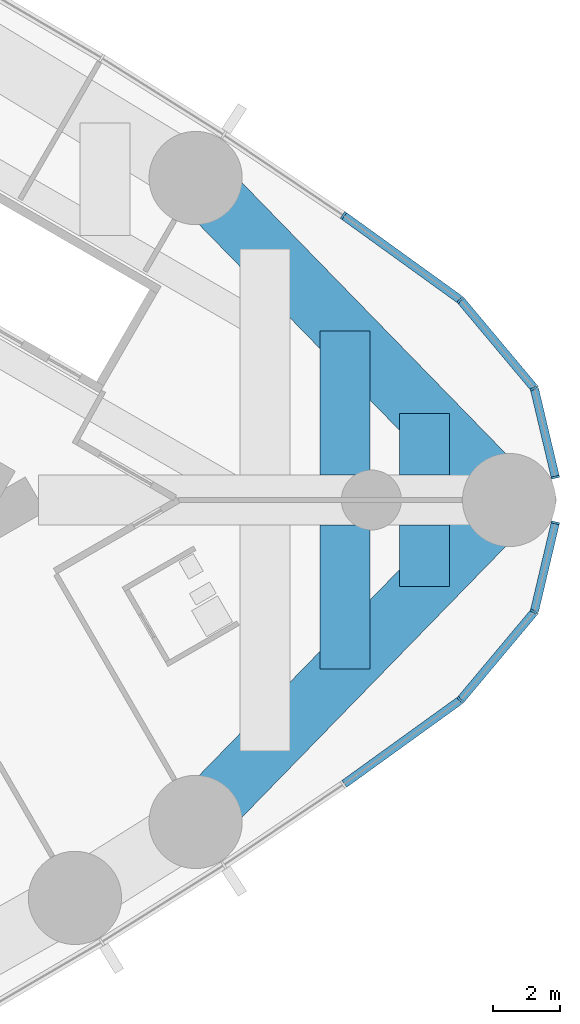
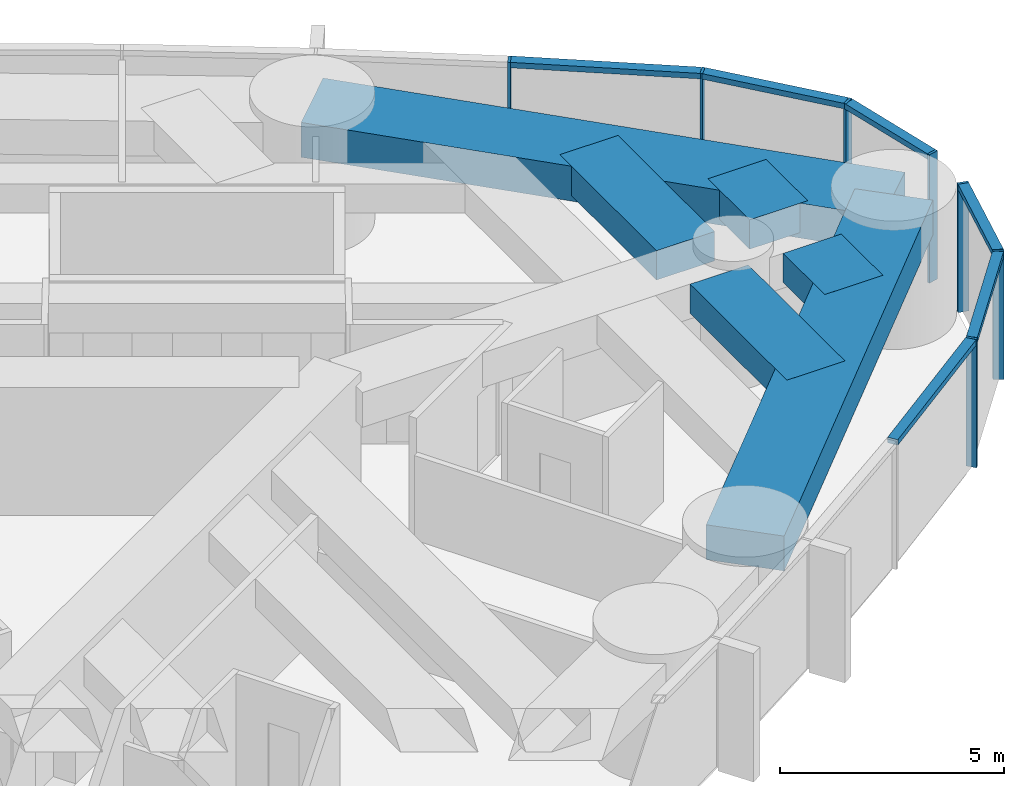
# One storey, part 9 of 19: 13 members, 6 beams, 2 elements without a shape of their own.
"""IFC4 building model written with IfcOpenShell, lengths in metres."""

from ifc_helpers import new_model, si_unit, direction, frame, origin, origin_2d, place, context, subcontext, project, spatial, rectangle, extrude, material, material_profile, profile_set, type_object, element, aggregate, save


model = new_model("IFC4")

# Units and contexts
model_context = context("Model", 3, precision=1e-05, world=origin(), true_north=direction((0.0, 1.0)))
body_context = subcontext(model_context, "Body", "Model", "MODEL_VIEW")
ifc_project = project(units=[si_unit("LENGTHUNIT", "METRE"), si_unit("AREAUNIT", "SQUARE_METRE"), si_unit("VOLUMEUNIT", "CUBIC_METRE"), si_unit("PLANEANGLEUNIT", "RADIAN"), si_unit("MASSUNIT", "GRAM", prefix="KILO")], contexts=[model_context])

# Site, building, storey
site_placement = place(None, origin())
site = spatial("IfcSite", under=ifc_project, at=site_placement, CompositionType="ELEMENT")
building_placement = place(site_placement, origin())
building = spatial("IfcBuilding", under=site, at=building_placement, Name="Lancet Gate Hotel", CompositionType="ELEMENT")
storey_placement = place(building_placement, frame((0.0, 0.0, 184.300048828125)))
storey = spatial("IfcBuildingStorey", under=building, at=storey_placement, Name="L49", CompositionType="ELEMENT", Elevation=184.300048828125)

# Curtain wall, members
ifc_material_1 = material(Name="Aluminium curtain wall", Category="aluminium")
curtain_wall_type = type_object("IfcCurtainWallType", Name="Tower unitised curtain wall", PredefinedType="USERDEFINED", material=ifc_material_1)
curtain_wall_1_placement = place(storey_placement, origin())
curtain_wall_1 = element("IfcCurtainWall", 1, at=curtain_wall_1_placement, inside=storey, type_object=curtain_wall_type, Name="T2 L49 curtain wall 2", ObjectType="UNITISED CURTAIN WALL", PredefinedType="USERDEFINED")
ifc_material_2 = material(Name="Aluminium mullion", Category="aluminium")
ifc_material_profile_1 = material_profile(ifc_material_2, rectangle(XDim=0.06494140625, YDim=0.25, at=origin_2d()), Name="MULLION 65x250")
ifc_profile_set_1 = profile_set([ifc_material_profile_1], Name="Aluminium mullion")
member_type_1 = type_object("IfcMemberType", Name="Aluminium mullion 65x250", PredefinedType="MULLION", material=ifc_profile_set_1)
member_1_placement = place(storey_placement, frame((64.174560546875, -6.01123046875, 0.0), z_axis=(0.0, 0.0, 1.0), x_axis=(0.741693452951, 0.670739011725, 0.0)))
member_1 = element("IfcMember", 2, at=member_1_placement, type_object=member_type_1, Name="T2 L49 curtain wall 2 mullion 10", PredefinedType="MULLION", context=body_context, shape_type="SweptSolid", body=[
    extrude(rectangle(XDim=0.06494140625, YDim=0.25, at=origin_2d()), origin(), (0.0, 0.0, 1.0), 3.5),
])
member_2_placement = place(storey_placement, frame((66.3935546875, -3.362548828125, 0.0), z_axis=(0.0, 0.0, 1.0), x_axis=(0.472146326362, 0.881520190638, 0.0)))
member_2 = element("IfcMember", 3, at=member_2_placement, type_object=member_type_1, Name="T2 L49 curtain wall 2 mullion 11", PredefinedType="MULLION", context=body_context, shape_type="SweptSolid", body=[
    extrude(rectangle(XDim=0.06494140625, YDim=0.25, at=origin_2d()), origin(), (0.0, 0.0, 1.0), 3.5),
])
member_3_placement = place(storey_placement, frame((67.027587890625, -0.684326171875, 0.0), z_axis=(0.0, 0.0, 1.0), x_axis=(0.230366568544, 0.973103922558, 0.0)))
member_3 = element("IfcMember", 4, at=member_3_placement, type_object=member_type_1, Name="T2 L49 curtain wall 2 mullion 12", PredefinedType="MULLION", context=body_context, shape_type="SweptSolid", body=[
    extrude(rectangle(XDim=0.06494140625, YDim=0.25, at=origin_2d()), origin(), (0.0, 0.0, 1.0), 3.5),
])

curtain_wall_2_placement = place(storey_placement, origin())
curtain_wall_2 = element("IfcCurtainWall", 5, at=curtain_wall_2_placement, inside=storey, type_object=curtain_wall_type, Name="T2 L49 curtain wall 3", ObjectType="UNITISED CURTAIN WALL", PredefinedType="USERDEFINED")
member_4_placement = place(storey_placement, frame((67.027587890625, 0.684326171875, 0.0), z_axis=(0.0, 0.0, 1.0), x_axis=(-0.230366568544, 0.973103922558, 0.0)))
member_4 = element("IfcMember", 6, at=member_4_placement, type_object=member_type_1, Name="T2 L49 curtain wall 3 mullion 1", PredefinedType="MULLION", context=body_context, shape_type="SweptSolid", body=[
    extrude(rectangle(XDim=0.06494140625, YDim=0.25, at=origin_2d()), origin(), (0.0, 0.0, 1.0), 3.5),
])
member_5_placement = place(storey_placement, frame((66.3935546875, 3.362548828125, 0.0), z_axis=(0.0, 0.0, 1.0), x_axis=(-0.472146326362, 0.881520190638, 0.0)))
member_5 = element("IfcMember", 7, at=member_5_placement, type_object=member_type_1, Name="T2 L49 curtain wall 3 mullion 2", PredefinedType="MULLION", context=body_context, shape_type="SweptSolid", body=[
    extrude(rectangle(XDim=0.06494140625, YDim=0.25, at=origin_2d()), origin(), (0.0, 0.0, 1.0), 3.5),
])
member_6_placement = place(storey_placement, frame((64.174560546875, 6.01123046875, 0.0), z_axis=(0.0, 0.0, 1.0), x_axis=(-0.741693452951, 0.670739011725, 0.0)))
member_6 = element("IfcMember", 8, at=member_6_placement, type_object=member_type_1, Name="T2 L49 curtain wall 3 mullion 3", PredefinedType="MULLION", context=body_context, shape_type="SweptSolid", body=[
    extrude(rectangle(XDim=0.06494140625, YDim=0.25, at=origin_2d()), origin(), (0.0, 0.0, 1.0), 3.5),
])
member_7_placement = place(storey_placement, frame((60.66015625, 8.547607421875, 0.0), z_axis=(0.0, 0.0, 1.0), x_axis=(-0.820068208435, 0.572265789222, 0.0)))
member_7 = element("IfcMember", 9, at=member_7_placement, type_object=member_type_1, Name="T2 L49 curtain wall 3 mullion 4", PredefinedType="MULLION", context=body_context, shape_type="SweptSolid", body=[
    extrude(rectangle(XDim=0.06494140625, YDim=0.25, at=origin_2d()), origin(), (0.0, 0.0, 1.0), 3.5),
])

# Member
ifc_material_3 = material(Name="Aluminium transom", Category="aluminium")
ifc_material_profile_2 = material_profile(ifc_material_3, rectangle(XDim=0.25, YDim=0.14990234375, at=origin_2d()), Name="TRANSOM 250x150")
ifc_profile_set_2 = profile_set([ifc_material_profile_2], Name="Aluminium transom")
member_type_2 = type_object("IfcMemberType", Name="Aluminium transom 250x150", PredefinedType="USERDEFINED", material=ifc_profile_set_2)
member_8_placement = place(storey_placement, frame((60.6865234375, -8.528564453125, 3.425048828125), z_axis=(0.810879747578, 0.585212811691, 0.0), x_axis=(-0.585212811691, 0.810879747578, 0.0)))
member_8 = element("IfcMember", 10, at=member_8_placement, type_object=member_type_2, Name="T2 L49 curtain wall 2 transom 9", ObjectType="TRANSOM", PredefinedType="USERDEFINED", context=body_context, shape_type="SweptSolid", body=[
    extrude(rectangle(XDim=0.25, YDim=0.14990234375, at=origin_2d()), origin(), (0.0, 0.0, 1.0), 4.26904296875),
])

member_9_placement = place(storey_placement, frame((64.1953125, -5.986328125, 3.425048828125), z_axis=(0.642229010215, 0.766512816878, 0.0), x_axis=(-0.766512816878, 0.642229010215, 0.0)))
member_9 = element("IfcMember", 11, at=member_9_placement, type_object=member_type_2, Name="T2 L49 curtain wall 2 transom 10", ObjectType="TRANSOM", PredefinedType="USERDEFINED", context=body_context, shape_type="SweptSolid", body=[
    extrude(rectangle(XDim=0.25, YDim=0.14990234375, at=origin_2d()), origin(), (0.0, 0.0, 1.0), 3.390625),
])

member_10_placement = place(storey_placement, frame((66.401123046875, -3.3310546875, 3.425048828125), z_axis=(0.230310174804, 0.973117271135, 0.0), x_axis=(-0.973117271135, 0.230310174804, 0.0)))
member_10 = element("IfcMember", 12, at=member_10_placement, type_object=member_type_2, Name="T2 L49 curtain wall 2 transom 11", ObjectType="TRANSOM", PredefinedType="USERDEFINED", context=body_context, shape_type="SweptSolid", body=[
    extrude(rectangle(XDim=0.25, YDim=0.14990234375, at=origin_2d()), origin(), (0.0, 0.0, 1.0), 2.687255859375),
])

aggregate(curtain_wall_1, [member_1, member_2, member_3, member_8, member_9, member_10])

member_11_placement = place(storey_placement, frame((67.02001953125, 0.716064453125, 3.425048828125), z_axis=(-0.230310174804, 0.973117271135, 0.0), x_axis=(-0.973117271135, -0.230310174804, 0.0)))
member_11 = element("IfcMember", 13, at=member_11_placement, type_object=member_type_2, Name="T2 L49 curtain wall 3 transom 1", ObjectType="TRANSOM", PredefinedType="USERDEFINED", context=body_context, shape_type="SweptSolid", body=[
    extrude(rectangle(XDim=0.25, YDim=0.14990234375, at=origin_2d()), origin(), (0.0, 0.0, 1.0), 2.687255859375),
])

member_12_placement = place(storey_placement, frame((66.372802734375, 3.387451171875, 3.425048828125), z_axis=(-0.642229010215, 0.766512816878, 0.0), x_axis=(-0.766512816878, -0.642229010215, 0.0)))
member_12 = element("IfcMember", 14, at=member_12_placement, type_object=member_type_2, Name="T2 L49 curtain wall 3 transom 2", ObjectType="TRANSOM", PredefinedType="USERDEFINED", context=body_context, shape_type="SweptSolid", body=[
    extrude(rectangle(XDim=0.25, YDim=0.14990234375, at=origin_2d()), origin(), (0.0, 0.0, 1.0), 3.390625),
])

member_13_placement = place(storey_placement, frame((64.148193359375, 6.0302734375, 3.425048828125), z_axis=(-0.810879747578, 0.585212811691, 0.0), x_axis=(-0.585212811691, -0.810879747578, 0.0)))
member_13 = element("IfcMember", 15, at=member_13_placement, type_object=member_type_2, Name="T2 L49 curtain wall 3 transom 3", ObjectType="TRANSOM", PredefinedType="USERDEFINED", context=body_context, shape_type="SweptSolid", body=[
    extrude(rectangle(XDim=0.25, YDim=0.14990234375, at=origin_2d()), origin(), (0.0, 0.0, 1.0), 4.26904296875),
])

aggregate(curtain_wall_2, [member_4, member_5, member_6, member_7, member_11, member_12, member_13])

# Beams
ifc_material_4 = material(Name="Concrete C50/60", Category="concrete")
ifc_material_profile_3 = material_profile(ifc_material_4, rectangle(XDim=1.800048828125, YDim=0.949951171875, at=origin_2d()), Name="RC 1800x950")
ifc_profile_set_3 = profile_set([ifc_material_profile_3], Name="Concrete C50/60")
beam_type_1 = type_object("IfcBeamType", Name="Edge beam RC 1800x950", PredefinedType="SPANDREL", material=ifc_profile_set_3)
for number, where, z_axis, x_axis, name in (
    (16, (56.220947265625, -9.67236328125, 2.77490234375), (0.697649905443, 0.716438838587, 0.0), (-0.716438838587, 0.697649905443, 0.0), "T2 edge beam EB1 L49"),
    (17, (65.6396484375, 0.0, 2.77490234375), (-0.697649905443, 0.716438838587, 0.0), (-0.716438838587, -0.697649905443, 0.0), "T2 edge beam EB1 L49"),
):
    element("IfcBeam", number, at=place(storey_placement, frame(where, z_axis=z_axis, x_axis=x_axis)), inside=storey, type_object=beam_type_1, Name=name, PredefinedType="SPANDREL", context=body_context, shape_type="SweptSolid", body=[
        extrude(rectangle(XDim=1.800048828125, YDim=0.949951171875, at=origin_2d()), origin(), (0.0, 0.0, 1.0), 13.500732421875),
    ])
ifc_material_5 = material(Name="Concrete C50/60", Category="concrete")
ifc_material_profile_4 = material_profile(ifc_material_5, rectangle(XDim=1.5, YDim=0.800048828125, at=origin_2d()), Name="RC 1500x800")
ifc_profile_set_4 = profile_set([ifc_material_profile_4], Name="Concrete C50/60")
beam_type_2 = type_object("IfcBeamType", Name="Floor beam RC 1500x800", PredefinedType="BEAM", material=ifc_profile_set_4)
for number, where, z_axis, x_axis, name in (
    (18, (60.7021484375, -5.0703125, 2.849853515625), (0.0, 1.0, 0.0), (-1.0, 0.0, 0.0), "T2 floor beam F14S L49"),
    (19, (60.7021484375, 0.75, 2.849853515625), (0.0, 1.0, 0.0), (-1.0, 0.0, 0.0), "T2 floor beam F15N L49"),
):
    element("IfcBeam", number, at=place(storey_placement, frame(where, z_axis=z_axis, x_axis=x_axis)), inside=storey, type_object=beam_type_2, Name=name, PredefinedType="BEAM", context=body_context, shape_type="SweptSolid", body=[
        extrude(rectangle(XDim=1.5, YDim=0.800048828125, at=origin_2d()), origin(), (0.0, 0.0, 1.0), 4.3203125),
    ])
for number, where, z_axis, x_axis, name in (
    (20, (63.102294921875, -2.605712890625, 2.849853515625), (0.0, 1.0, 0.0), (-1.0, 0.0, 0.0), "T2 floor beam F16S L49"),
    (21, (63.102294921875, 0.75, 2.849853515625), (0.0, 1.0, 0.0), (-1.0, 0.0, 0.0), "T2 floor beam F17N L49"),
):
    element("IfcBeam", number, at=place(storey_placement, frame(where, z_axis=z_axis, x_axis=x_axis)), inside=storey, type_object=beam_type_2, Name=name, PredefinedType="BEAM", context=body_context, shape_type="SweptSolid", body=[
        extrude(rectangle(XDim=1.5, YDim=0.800048828125, at=origin_2d()), origin(), (0.0, 0.0, 1.0), 1.855712890625),
    ])

save(model, "model.ifc")
